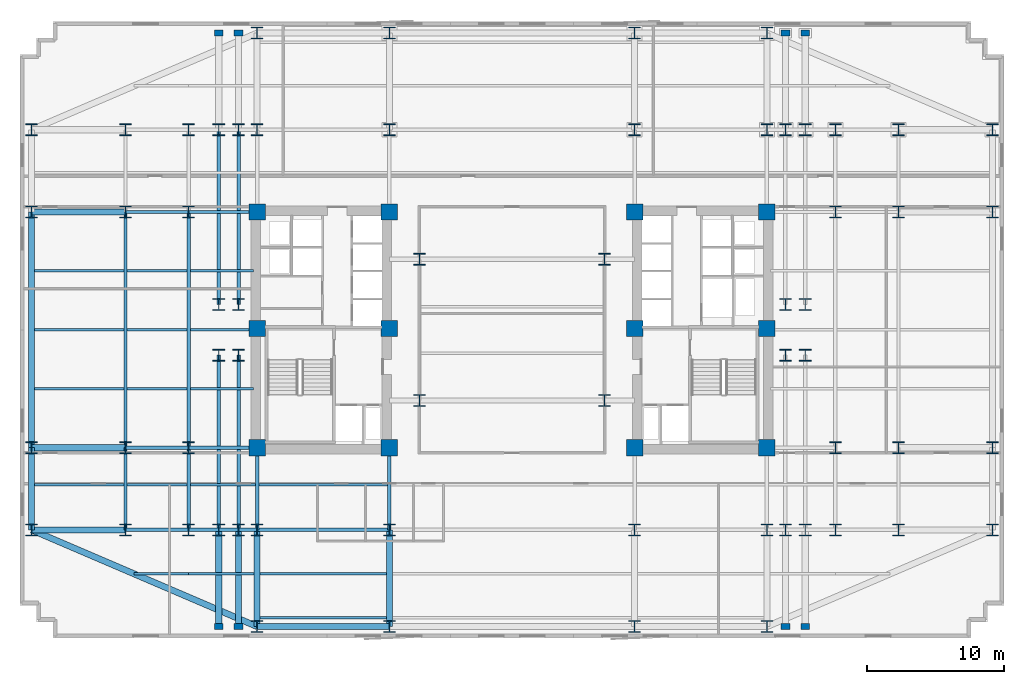
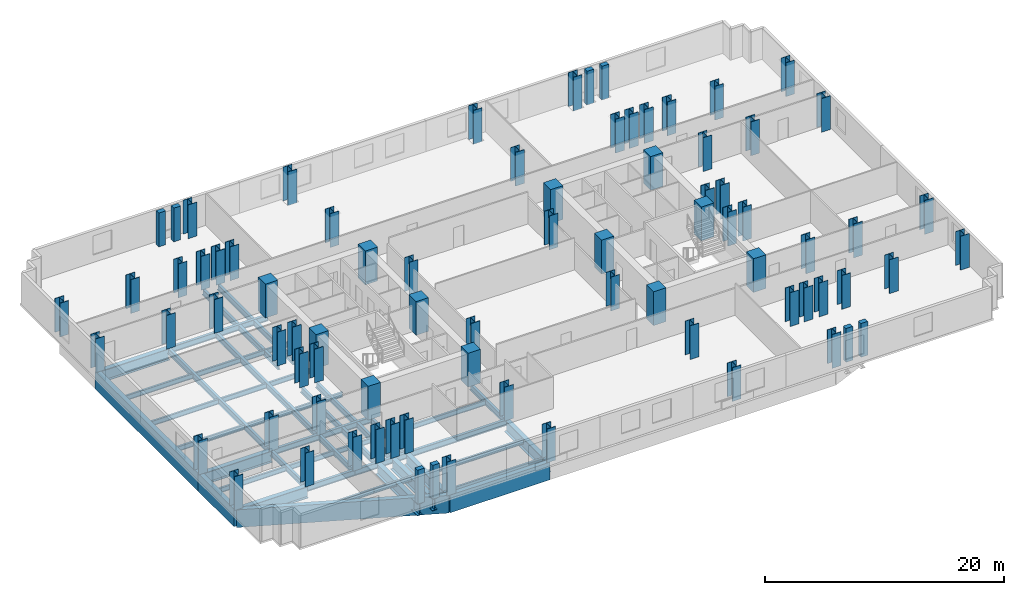
# One storey, part 1 of 10: 80 columns, 45 beams.
"""IFC4 building model written with IfcOpenShell, lengths in metres."""

import ifcopenshell
import ifcopenshell.guid

model = None  # the IFC model being written
_history = None  # IfcOwnerHistory: only IFC2X3 demands one
_inside = {}  # id of a spatial element -> (the spatial element, [elements in it])
_under = {}  # id of a project, library or spatial element -> (it, [spatial elements below it])
_declared = {}  # id of a project -> (the project, [libraries it declares])
_typed = {}  # id of a type object -> (the type object, [elements of that type])
_made_of = {}  # id of a material, layer set ... -> (it, [elements and type objects made of it])


def new_model(schema):
    """Start an empty IFC model of exactly this schema.

    Asked for "IFC4X3", IfcOpenShell would pick the latest addendum, in which some entities
    have other attributes; the version numbers below select the first issue.
    IFC2X3 requires an IfcOwnerHistory on every rooted entity: one is made here for all.
    """
    global model, _history
    if schema == "IFC4X3":
        model = ifcopenshell.file(schema_version=(4, 3, 0, 0))
    else:
        model = ifcopenshell.file(schema=schema)
    _inside.clear()
    _under.clear()
    _declared.clear()
    _typed.clear()
    _made_of.clear()
    _history = None
    if model.schema == "IFC2X3":
        org = make("IfcOrganization", Name="unknown")
        user = make(
            "IfcPersonAndOrganization",
            ThePerson=make("IfcPerson", FamilyName="unknown"),
            TheOrganization=org,
        )
        app = make(
            "IfcApplication",
            ApplicationDeveloper=org,
            Version="unknown",
            ApplicationFullName="unknown",
            ApplicationIdentifier="unknown",
        )
        _history = make(
            "IfcOwnerHistory",
            OwningUser=user,
            OwningApplication=app,
            ChangeAction="ADDED",
            CreationDate=0,
        )
    return model


def make(cls, **values):
    """One entity of the class cls with the attributes given. An attribute that is None is left unset."""
    return model.create_entity(
        cls, **{name: value for name, value in values.items() if value is not None}
    )


def rooted(cls, **values):
    """An entity with a GlobalId (a new one), such as an element, a storey or a relation."""
    return make(cls, GlobalId=ifcopenshell.guid.new(), OwnerHistory=_history, **values)


def si_unit(unit_type, name, prefix=None):
    """IfcSIUnit, for example si_unit("LENGTHUNIT", "METRE", prefix="MILLI")."""
    return make("IfcSIUnit", UnitType=unit_type, Prefix=prefix, Name=name)


def assignment(units):
    """IfcUnitAssignment: the units of a project."""
    return None if units is None else make("IfcUnitAssignment", Units=units)


def point(xyz):
    """IfcCartesianPoint."""
    return None if xyz is None else make("IfcCartesianPoint", Coordinates=xyz)


def direction(xyz):
    """IfcDirection."""
    return None if xyz is None else make("IfcDirection", DirectionRatios=xyz)


def frame(location, z_axis=None, x_axis=None):
    """IfcAxis2Placement3D, a coordinate frame: its origin and axes. An axis left out is left unset."""
    return make(
        "IfcAxis2Placement3D",
        Location=point(location),
        Axis=direction(z_axis),
        RefDirection=direction(x_axis),
    )


def frame_2d(location, x_axis=None):
    """IfcAxis2Placement2D, a coordinate frame in the plane: its origin and x axis."""
    return make(
        "IfcAxis2Placement2D", Location=point(location), RefDirection=direction(x_axis)
    )


def origin():
    """The frame at (0, 0, 0) with its axes left unset."""
    return frame((0.0, 0.0, 0.0))


def origin_2d():
    """The frame at (0, 0) in the plane with its x axis left unset."""
    return frame_2d((0.0, 0.0))


def place(relative_to, where):
    """IfcLocalPlacement: puts the frame where relative to a parent placement (None: the world)."""
    return make(
        "IfcLocalPlacement", PlacementRelTo=relative_to, RelativePlacement=where
    )


def context(
    kind, dimensions, precision=None, world=None, true_north=None, identifier=None
):
    """IfcGeometricRepresentationContext, for example the 3D "Model" context."""
    return make(
        "IfcGeometricRepresentationContext",
        ContextIdentifier=identifier,
        ContextType=kind,
        CoordinateSpaceDimension=dimensions,
        Precision=precision,
        WorldCoordinateSystem=world,
        TrueNorth=true_north,
    )


def subcontext(parent, identifier, kind, view, scale=None):
    """IfcGeometricRepresentationSubContext, for example "Body" below "Model"."""
    return make(
        "IfcGeometricRepresentationSubContext",
        ContextIdentifier=identifier,
        ContextType=kind,
        ParentContext=parent,
        TargetScale=scale,
        TargetView=view,
    )


def project(units=None, contexts=None):
    """IfcProject with its units and contexts."""
    return rooted(
        "IfcProject",
        Name="project",
        RepresentationContexts=contexts,
        UnitsInContext=assignment(units),
    )


def spatial(cls, under=None, at=None, **own):
    """A site, building, storey or space (cls), placed at a placement, below another one or the project."""
    s = rooted(cls, ObjectPlacement=at, **own)
    if under is not None:
        _under.setdefault(under.id(), (under, []))[1].append(s)
    return s


def profile(cls, at=None, kind="AREA", **sizes):
    """A parametric profile (cls). Its sizes go by their IFC names, for example OverallWidth=200.0."""
    return make(cls, ProfileType=kind, Position=at, **sizes)


def rectangle(**sizes):
    """IfcRectangleProfileDef."""
    return profile("IfcRectangleProfileDef", **sizes)


def i_section(**sizes):
    """IfcIShapeProfileDef."""
    return profile("IfcIShapeProfileDef", **sizes)


def extrude(swept, where, along, depth):
    """IfcExtrudedAreaSolid: the profile swept, set in the frame where, extruded along a direction by depth."""
    return make(
        "IfcExtrudedAreaSolid",
        SweptArea=swept,
        Position=where,
        ExtrudedDirection=direction(along),
        Depth=depth,
    )


def shape(context_of_items, identifier, shape_type, items):
    """IfcShapeRepresentation: the items that make up one representation, for example the "Body"."""
    return make(
        "IfcShapeRepresentation",
        ContextOfItems=context_of_items,
        RepresentationIdentifier=identifier,
        RepresentationType=shape_type,
        Items=items,
    )


def material(Name=None, Category=None):
    """IfcMaterial."""
    return make("IfcMaterial", Name=Name, Category=Category)


def material_profile(
    of_material, cross_section, Name=None, Category=None, Priority=None
):
    """IfcMaterialProfile: a cross section and its material."""
    return make(
        "IfcMaterialProfile",
        Name=Name,
        Material=of_material,
        Profile=cross_section,
        Priority=Priority,
        Category=Category,
    )


def profile_set(profiles, Name=None, composite=None):
    """IfcMaterialProfileSet."""
    return make(
        "IfcMaterialProfileSet",
        Name=Name,
        MaterialProfiles=profiles,
        CompositeProfile=composite,
    )


def made_of(thing, what):
    """Note that an element or type object is made of a material, layer set ...; save() writes the relation."""
    if what is not None:
        _made_of.setdefault(what.id(), (what, []))[1].append(thing)
    return thing


def type_object(cls, material=None, **own):
    """A type object (cls), such as IfcWallType, which elements share."""
    return made_of(rooted(cls, **own), material)


def element(
    cls,
    number,
    at=None,
    inside=None,
    cuts=None,
    type_object=None,
    material=None,
    context=None,
    identifier="Body",
    shape_type=None,
    held_by="IfcProductDefinitionShape",
    body=None,
    shapes=None,
    **own,
):
    """One element of the class cls, such as IfcWall. Its Tag is "e" and its number.

    at: its placement. inside: the storey or other place that contains it. cuts: it is an
    opening in that element (IfcRelVoidsElement). A single representation is given by context,
    identifier, shape_type and body (its items); several are given by shapes. held_by: the class
    of the entity that holds the representations. save() writes the other relations.
    """
    e = rooted(cls, Tag="e%d" % number, ObjectPlacement=at, **own)
    if body is not None:
        shapes = [shape(context, identifier, shape_type, body)]
    if shapes is not None:
        e.Representation = make(held_by, Representations=shapes)
    if inside is not None:
        _inside.setdefault(inside.id(), (inside, []))[1].append(e)
    if cuts is not None:
        rooted(
            "IfcRelVoidsElement", RelatingBuildingElement=cuts, RelatedOpeningElement=e
        )
    if type_object is not None:
        _typed.setdefault(type_object.id(), (type_object, []))[1].append(e)
    return made_of(e, material)


def aggregate(whole, parts):
    """IfcRelAggregates: a whole, such as a stair, and the parts it consists of."""
    return rooted("IfcRelAggregates", RelatingObject=whole, RelatedObjects=parts)


def save(model, path):
    """Write the relations noted so far, then the file.

    IfcRelAggregates (storeys below a building ...), IfcRelContainedInSpatialStructure (elements
    in a storey), IfcRelDefinesByType, IfcRelAssociatesMaterial and IfcRelDeclares: one each for
    every whole, place, type object, material and project.
    """
    for whole, parts in _under.values():
        aggregate(whole, parts)
    for where, things in _inside.values():
        rooted(
            "IfcRelContainedInSpatialStructure",
            RelatedElements=things,
            RelatingStructure=where,
        )
    for kind, things in _typed.values():
        rooted("IfcRelDefinesByType", RelatedObjects=things, RelatingType=kind)
    for what, things in _made_of.values():
        rooted("IfcRelAssociatesMaterial", RelatedObjects=things, RelatingMaterial=what)
    for by, libraries in _declared.values():
        rooted("IfcRelDeclares", RelatingContext=by, RelatedDefinitions=libraries)
    model.write(path)


model = new_model("IFC4")

# Units and contexts
model_context = context("Model", 3, precision=1e-05, world=origin(), true_north=direction((0.0, 1.0)))
body_context = subcontext(model_context, "Body", "Model", "MODEL_VIEW")
ifc_project = project(units=[si_unit("LENGTHUNIT", "METRE"), si_unit("AREAUNIT", "SQUARE_METRE"), si_unit("VOLUMEUNIT", "CUBIC_METRE"), si_unit("PLANEANGLEUNIT", "RADIAN"), si_unit("MASSUNIT", "GRAM", prefix="KILO")], contexts=[model_context])

# Site, building, storey
site_placement = place(None, origin())
site = spatial("IfcSite", under=ifc_project, at=site_placement, CompositionType="ELEMENT")
building_placement = place(site_placement, origin())
building = spatial("IfcBuilding", under=site, at=building_placement, Name="Velakula Bourse", CompositionType="ELEMENT")
storey_placement = place(building_placement, frame((0.0, 0.0, 31.199951171875)))
storey = spatial("IfcBuildingStorey", under=building, at=storey_placement, Name="L07", CompositionType="ELEMENT", Elevation=31.199951171875)

# Columns
ifc_material_1 = material(Name="Concrete M70 (fck 70 MPa)", Category="concrete")
ifc_material_profile_1 = material_profile(ifc_material_1, rectangle(XDim=1.199951171875, YDim=1.199951171875, at=origin_2d()), Name="Concrete M70 (fck 70 MPa)")
ifc_profile_set_1 = profile_set([ifc_material_profile_1], Name="Concrete M70 (fck 70 MPa)")
column_type_1 = type_object("IfcColumnType", Name="COL-RC-1200", PredefinedType="COLUMN", material=ifc_profile_set_1)
for number, where, z_axis, x_axis, name in (
    (1, (-8.949951171875, -8.60009765625, 0.0), (0.0, 0.0, 1.0), (1.0, 0.0, 0.0), "L07 Core Boundary Column 01"),
    (2, (-8.949951171875, 0.10009765625, 0.0), (0.0, 0.0, 1.0), (1.0, 0.0, 0.0), "L07 Core Boundary Column 02"),
    (3, (-8.949951171875, 8.60009765625, 0.0), (0.0, 0.0, 1.0), (1.0, 0.0, 0.0), "L07 Core Boundary Column 03"),
    (4, (-18.60009765625, -8.60009765625, 0.0), (0.0, 0.0, 1.0), (1.0, 0.0, 0.0), "L07 Core Boundary Column 04"),
    (5, (-18.60009765625, 0.10009765625, 0.0), (0.0, 0.0, 1.0), (1.0, 0.0, 0.0), "L07 Core Boundary Column 05"),
    (6, (-18.60009765625, 8.60009765625, 0.0), (0.0, 0.0, 1.0), (1.0, 0.0, 0.0), "L07 Core Boundary Column 06"),
    (7, (8.949951171875, -8.60009765625, 0.0), (0.0, 0.0, 1.0), (1.0, 0.0, 0.0), "L07 Core Boundary Column 07"),
    (8, (8.949951171875, 0.10009765625, 0.0), (0.0, 0.0, 1.0), (1.0, 0.0, 0.0), "L07 Core Boundary Column 08"),
    (9, (8.949951171875, 8.60009765625, 0.0), (0.0, 0.0, 1.0), (1.0, 0.0, 0.0), "L07 Core Boundary Column 09"),
    (10, (18.60009765625, -8.60009765625, 0.0), (0.0, 0.0, 1.0), (1.0, 0.0, 0.0), "L07 Core Boundary Column 10"),
    (11, (18.60009765625, 0.10009765625, 0.0), (0.0, 0.0, 1.0), (1.0, 0.0, 0.0), "L07 Core Boundary Column 11"),
    (12, (18.60009765625, 8.60009765625, 0.0), (0.0, 0.0, 1.0), (1.0, 0.0, 0.0), "L07 Core Boundary Column 12"),
):
    element("IfcColumn", number, at=place(storey_placement, frame(where, z_axis=z_axis, x_axis=x_axis)), inside=storey, type_object=column_type_1, Name=name, PredefinedType="COLUMN", context=body_context, shape_type="SweptSolid", body=[
        extrude(rectangle(XDim=1.199951171875, YDim=1.199951171875, at=origin_2d()), origin(), (0.0, 0.0, 1.0), 3.449951171875),
    ])
ifc_material_2 = material(Name="Steel IS 2062 Grade 450 (E450)", Category="steel")
ifc_material_profile_2 = material_profile(ifc_material_2, i_section(OverallWidth=0.85009765625, OverallDepth=0.85009765625, WebThickness=0.031982421875, FlangeThickness=0.048095703125, at=origin_2d()), Name="Steel IS 2062 Grade 450 (E450)")
ifc_profile_set_2 = profile_set([ifc_material_profile_2], Name="Steel IS 2062 Grade 450 (E450)")
column_type_2 = type_object("IfcColumnType", Name="COL-STL-850", PredefinedType="COLUMN", material=ifc_profile_set_2)
for number, where, z_axis, x_axis, name in (
    (13, (-6.75, -5.14990234375, 0.0), (0.0, 0.0, 1.0), (1.0, 0.0, 0.0), "L07 Central Spine Column 01"),
    (14, (-6.75, 5.14990234375, 0.0), (0.0, 0.0, 1.0), (1.0, 0.0, 0.0), "L07 Central Spine Column 02"),
    (15, (6.75, -5.14990234375, 0.0), (0.0, 0.0, 1.0), (1.0, 0.0, 0.0), "L07 Central Spine Column 03"),
    (16, (6.75, 5.14990234375, 0.0), (0.0, 0.0, 1.0), (1.0, 0.0, 0.0), "L07 Central Spine Column 04"),
    (17, (-21.39990234375, -14.60009765625, 0.0), (0.0, 0.0, 1.0), (1.0, 0.0, 0.0), "L07 Tower Fulcrum Column 01"),
    (18, (-21.39990234375, 14.60009765625, 0.0), (0.0, 0.0, 1.0), (1.0, 0.0, 0.0), "L07 Tower Fulcrum Column 02"),
    (19, (-19.949951171875, -14.60009765625, 0.0), (0.0, 0.0, 1.0), (1.0, 0.0, 0.0), "L07 Tower Fulcrum Column 03"),
    (20, (-19.949951171875, 14.60009765625, 0.0), (0.0, 0.0, 1.0), (1.0, 0.0, 0.0), "L07 Tower Fulcrum Column 04"),
    (21, (-18.60009765625, -14.60009765625, 0.0), (0.0, 0.0, 1.0), (1.0, 0.0, 0.0), "L07 Tower Fulcrum Column 05"),
    (22, (-18.60009765625, 14.60009765625, 0.0), (0.0, 0.0, 1.0), (1.0, 0.0, 0.0), "L07 Tower Fulcrum Column 06"),
    (23, (-8.949951171875, -14.60009765625, 0.0), (0.0, 0.0, 1.0), (1.0, 0.0, 0.0), "L07 Tower Fulcrum Column 07"),
    (24, (-8.949951171875, 14.60009765625, 0.0), (0.0, 0.0, 1.0), (1.0, 0.0, 0.0), "L07 Tower Fulcrum Column 08"),
    (25, (8.949951171875, -14.60009765625, 0.0), (0.0, 0.0, 1.0), (1.0, 0.0, 0.0), "L07 Tower Fulcrum Column 09"),
    (26, (8.949951171875, 14.60009765625, 0.0), (0.0, 0.0, 1.0), (1.0, 0.0, 0.0), "L07 Tower Fulcrum Column 10"),
    (27, (18.60009765625, -14.60009765625, 0.0), (0.0, 0.0, 1.0), (1.0, 0.0, 0.0), "L07 Tower Fulcrum Column 11"),
    (28, (18.60009765625, 14.60009765625, 0.0), (0.0, 0.0, 1.0), (1.0, 0.0, 0.0), "L07 Tower Fulcrum Column 12"),
    (29, (19.949951171875, -14.60009765625, 0.0), (0.0, 0.0, 1.0), (1.0, 0.0, 0.0), "L07 Tower Fulcrum Column 13"),
    (30, (19.949951171875, 14.60009765625, 0.0), (0.0, 0.0, 1.0), (1.0, 0.0, 0.0), "L07 Tower Fulcrum Column 14"),
    (31, (21.39990234375, -14.60009765625, 0.0), (0.0, 0.0, 1.0), (1.0, 0.0, 0.0), "L07 Tower Fulcrum Column 15"),
    (32, (21.39990234375, 14.60009765625, 0.0), (0.0, 0.0, 1.0), (1.0, 0.0, 0.0), "L07 Tower Fulcrum Column 16"),
    (33, (-21.39990234375, -1.85009765625, 0.0), (0.0, 0.0, 1.0), (1.0, 0.0, 0.0), "L07 Tower Fulcrum Column 17"),
    (34, (-21.39990234375, 1.85009765625, 0.0), (0.0, 0.0, 1.0), (1.0, 0.0, 0.0), "L07 Tower Fulcrum Column 18"),
    (35, (-19.949951171875, -1.85009765625, 0.0), (0.0, 0.0, 1.0), (1.0, 0.0, 0.0), "L07 Tower Fulcrum Column 19"),
    (36, (-19.949951171875, 1.85009765625, 0.0), (0.0, 0.0, 1.0), (1.0, 0.0, 0.0), "L07 Tower Fulcrum Column 20"),
    (37, (19.949951171875, -1.85009765625, 0.0), (0.0, 0.0, 1.0), (1.0, 0.0, 0.0), "L07 Tower Fulcrum Column 21"),
    (38, (19.949951171875, 1.85009765625, 0.0), (0.0, 0.0, 1.0), (1.0, 0.0, 0.0), "L07 Tower Fulcrum Column 22"),
    (39, (21.39990234375, -1.85009765625, 0.0), (0.0, 0.0, 1.0), (1.0, 0.0, 0.0), "L07 Tower Fulcrum Column 23"),
    (40, (21.39990234375, 1.85009765625, 0.0), (0.0, 0.0, 1.0), (1.0, 0.0, 0.0), "L07 Tower Fulcrum Column 24"),
    (41, (-23.60009765625, -14.60009765625, 0.0), (0.0, 0.0, 1.0), (1.0, 0.0, 0.0), "L07 Mid-Wing Plumb Column 01"),
    (42, (-23.60009765625, -8.60009765625, 0.0), (0.0, 0.0, 1.0), (1.0, 0.0, 0.0), "L07 Mid-Wing Plumb Column 02"),
    (43, (-23.60009765625, 8.60009765625, 0.0), (0.0, 0.0, 1.0), (1.0, 0.0, 0.0), "L07 Mid-Wing Plumb Column 03"),
    (44, (-23.60009765625, 14.60009765625, 0.0), (0.0, 0.0, 1.0), (1.0, 0.0, 0.0), "L07 Mid-Wing Plumb Column 04"),
    (45, (23.60009765625, -14.60009765625, 0.0), (0.0, 0.0, 1.0), (1.0, 0.0, 0.0), "L07 Mid-Wing Plumb Column 05"),
    (46, (23.60009765625, -8.60009765625, 0.0), (0.0, 0.0, 1.0), (1.0, 0.0, 0.0), "L07 Mid-Wing Plumb Column 06"),
    (47, (23.60009765625, 8.60009765625, 0.0), (0.0, 0.0, 1.0), (1.0, 0.0, 0.0), "L07 Mid-Wing Plumb Column 07"),
    (48, (23.60009765625, 14.60009765625, 0.0), (0.0, 0.0, 1.0), (1.0, 0.0, 0.0), "L07 Mid-Wing Plumb Column 08"),
    (49, (-28.199951171875, -14.60009765625, 0.0), (0.0, 0.0, 1.0), (1.0, 0.0, 0.0), "L07 Lower Wing Column 01"),
    (50, (-28.199951171875, -8.60009765625, 0.0), (0.0, 0.0, 1.0), (1.0, 0.0, 0.0), "L07 Lower Wing Column 02"),
    (51, (-28.199951171875, 8.60009765625, 0.0), (0.0, 0.0, 1.0), (1.0, 0.0, 0.0), "L07 Lower Wing Column 03"),
    (52, (-28.199951171875, 14.60009765625, 0.0), (0.0, 0.0, 1.0), (1.0, 0.0, 0.0), "L07 Lower Wing Column 04"),
    (53, (28.199951171875, -14.60009765625, 0.0), (0.0, 0.0, 1.0), (1.0, 0.0, 0.0), "L07 Lower Wing Column 05"),
    (54, (28.199951171875, -8.60009765625, 0.0), (0.0, 0.0, 1.0), (1.0, 0.0, 0.0), "L07 Lower Wing Column 06"),
    (55, (28.199951171875, 8.60009765625, 0.0), (0.0, 0.0, 1.0), (1.0, 0.0, 0.0), "L07 Lower Wing Column 07"),
    (56, (28.199951171875, 14.60009765625, 0.0), (0.0, 0.0, 1.0), (1.0, 0.0, 0.0), "L07 Lower Wing Column 08"),
    (57, (-18.60009765625, -21.64990234375, 0.0), (0.0, 0.0, 1.0), (1.0, 0.0, 0.0), "L07 Block B1 Perimeter Column S1"),
    (58, (-8.949951171875, -21.64990234375, 0.0), (0.0, 0.0, 1.0), (1.0, 0.0, 0.0), "L07 Block B1 Perimeter Column S2"),
    (59, (8.949951171875, -21.64990234375, 0.0), (0.0, 0.0, 1.0), (1.0, 0.0, 0.0), "L07 Block B1 Perimeter Column S3"),
    (60, (18.60009765625, -21.64990234375, 0.0), (0.0, 0.0, 1.0), (1.0, 0.0, 0.0), "L07 Block B1 Perimeter Column S4"),
    (61, (-18.60009765625, 21.64990234375, 0.0), (0.0, 0.0, 1.0), (1.0, 0.0, 0.0), "L07 Block B1 Perimeter Column N1"),
    (62, (-8.949951171875, 21.64990234375, 0.0), (0.0, 0.0, 1.0), (1.0, 0.0, 0.0), "L07 Block B1 Perimeter Column N2"),
    (63, (8.949951171875, 21.64990234375, 0.0), (0.0, 0.0, 1.0), (1.0, 0.0, 0.0), "L07 Block B1 Perimeter Column N3"),
    (64, (18.60009765625, 21.64990234375, 0.0), (0.0, 0.0, 1.0), (1.0, 0.0, 0.0), "L07 Block B1 Perimeter Column N4"),
    (65, (-35.050048828125, -14.60009765625, 0.0), (0.0, 0.0, 1.0), (1.0, 0.0, 0.0), "L07 Block B1 Perimeter Column W1"),
    (66, (-35.050048828125, -8.60009765625, 0.0), (0.0, 0.0, 1.0), (1.0, 0.0, 0.0), "L07 Block B1 Perimeter Column W2"),
    (67, (-35.050048828125, 8.60009765625, 0.0), (0.0, 0.0, 1.0), (1.0, 0.0, 0.0), "L07 Block B1 Perimeter Column W3"),
    (68, (-35.050048828125, 14.60009765625, 0.0), (0.0, 0.0, 1.0), (1.0, 0.0, 0.0), "L07 Block B1 Perimeter Column W4"),
    (69, (35.050048828125, -14.60009765625, 0.0), (0.0, 0.0, 1.0), (1.0, 0.0, 0.0), "L07 Block B1 Perimeter Column E1"),
    (70, (35.050048828125, -8.60009765625, 0.0), (0.0, 0.0, 1.0), (1.0, 0.0, 0.0), "L07 Block B1 Perimeter Column E2"),
    (71, (35.050048828125, 8.60009765625, 0.0), (0.0, 0.0, 1.0), (1.0, 0.0, 0.0), "L07 Block B1 Perimeter Column E3"),
    (72, (35.050048828125, 14.60009765625, 0.0), (0.0, 0.0, 1.0), (1.0, 0.0, 0.0), "L07 Block B1 Perimeter Column E4"),
):
    element("IfcColumn", number, at=place(storey_placement, frame(where, z_axis=z_axis, x_axis=x_axis)), inside=storey, type_object=column_type_2, Name=name, PredefinedType="COLUMN", context=body_context, shape_type="SweptSolid", body=[
        extrude(i_section(OverallWidth=0.85009765625, OverallDepth=0.85009765625, WebThickness=0.031982421875, FlangeThickness=0.048095703125, at=origin_2d()), origin(), (0.0, 0.0, 1.0), 3.449951171875),
    ])
ifc_material_3 = material(Name="Precast concrete M45 (fck 45 MPa)", Category="concrete")
ifc_material_profile_3 = material_profile(ifc_material_3, rectangle(XDim=0.64990234375, YDim=0.449951171875, at=origin_2d()), Name="Precast concrete M45 (fck 45 MPa)")
ifc_profile_set_3 = profile_set([ifc_material_profile_3], Name="Precast concrete M45 (fck 45 MPa)")
column_type_3 = type_object("IfcColumnType", Name="PIL-BRICK-650", PredefinedType="PILASTER", material=ifc_profile_set_3)
for number, where, z_axis, x_axis, name in (
    (73, (-21.39990234375, -21.64990234375, 0.0), (0.0, 0.0, 1.0), (1.0, 0.0, 0.0), "L07 Brick Pier Pilaster 01"),
    (74, (-19.949951171875, -21.64990234375, 0.0), (0.0, 0.0, 1.0), (1.0, 0.0, 0.0), "L07 Brick Pier Pilaster 02"),
    (75, (19.949951171875, -21.64990234375, 0.0), (0.0, 0.0, 1.0), (1.0, 0.0, 0.0), "L07 Brick Pier Pilaster 03"),
    (76, (21.39990234375, -21.64990234375, 0.0), (0.0, 0.0, 1.0), (1.0, 0.0, 0.0), "L07 Brick Pier Pilaster 04"),
    (77, (-21.39990234375, 21.64990234375, 0.0), (0.0, 0.0, 1.0), (1.0, 0.0, 0.0), "L07 Brick Pier Pilaster 05"),
    (78, (-19.949951171875, 21.64990234375, 0.0), (0.0, 0.0, 1.0), (1.0, 0.0, 0.0), "L07 Brick Pier Pilaster 06"),
    (79, (19.949951171875, 21.64990234375, 0.0), (0.0, 0.0, 1.0), (1.0, 0.0, 0.0), "L07 Brick Pier Pilaster 07"),
    (80, (21.39990234375, 21.64990234375, 0.0), (0.0, 0.0, 1.0), (1.0, 0.0, 0.0), "L07 Brick Pier Pilaster 08"),
):
    element("IfcColumn", number, at=place(storey_placement, frame(where, z_axis=z_axis, x_axis=x_axis)), inside=storey, type_object=column_type_3, Name=name, PredefinedType="PILASTER", context=body_context, shape_type="SweptSolid", body=[
        extrude(rectangle(XDim=0.64990234375, YDim=0.449951171875, at=origin_2d()), origin(), (0.0, 0.0, 1.0), 3.449951171875),
    ])

# Beams
ifc_material_4 = material(Name="Steel IS 2062 Grade 350 (E350)", Category="steel")
ifc_material_profile_4 = material_profile(ifc_material_4, i_section(OverallWidth=0.25, OverallDepth=0.60009765625, WebThickness=0.01171875, FlangeThickness=0.023681640625, at=origin_2d()), Name="Steel IS 2062 Grade 350 (E350)")
ifc_profile_set_4 = profile_set([ifc_material_profile_4], Name="Steel IS 2062 Grade 350 (E350)")
beam_type_1 = type_object("IfcBeamType", Name="BM-GRD-600H", PredefinedType="BEAM", material=ifc_profile_set_4)
for number, where, z_axis, x_axis, name in (
    (81, (-18.60009765625, -14.60009765625, -0.47998046875), (0.0, 1.0, 0.0), (-1.0, 0.0, 0.0), "L07 Fulcrum Grid Girder FLC-WS"),
    (82, (-8.949951171875, -14.60009765625, -0.47998046875), (0.0, 1.0, 0.0), (-1.0, 0.0, 0.0), "L07 Fulcrum Grid Girder FLC-WCS"),
):
    element("IfcBeam", number, at=place(storey_placement, frame(where, z_axis=z_axis, x_axis=x_axis)), inside=storey, type_object=beam_type_1, Name=name, PredefinedType="BEAM", context=body_context, shape_type="SweptSolid", body=[
        extrude(i_section(OverallWidth=0.25, OverallDepth=0.60009765625, WebThickness=0.01171875, FlangeThickness=0.023681640625, at=origin_2d()), origin(), (0.0, 0.0, 1.0), 6.0),
    ])
beam_1_placement = place(storey_placement, frame((-18.60009765625, -14.60009765625, -0.47998046875), z_axis=(1.0, 0.0, 0.0), x_axis=(0.0, 1.0, 0.0)))
element("IfcBeam", 83, at=beam_1_placement, inside=storey, type_object=beam_type_1, Name="L07 Fulcrum Grid Girder FLC-S1", PredefinedType="BEAM", context=body_context, shape_type="SweptSolid", body=[
    extrude(i_section(OverallWidth=0.25, OverallDepth=0.60009765625, WebThickness=0.01171875, FlangeThickness=0.023681640625, at=origin_2d()), origin(), (0.0, 0.0, 1.0), 9.650146484375),
])
for number, where, z_axis, x_axis, name in (
    (84, (-21.39990234375, -14.60009765625, -0.47998046875), (0.0, 1.0, 0.0), (-1.0, 0.0, 0.0), "L07 Fulcrum Grid Girder FLC-PSW1"),
    (85, (-21.39990234375, 1.85009765625, -0.47998046875), (0.0, 1.0, 0.0), (-1.0, 0.0, 0.0), "L07 Fulcrum Grid Girder FLC-PNW1"),
    (86, (-19.949951171875, -14.60009765625, -0.47998046875), (0.0, 1.0, 0.0), (-1.0, 0.0, 0.0), "L07 Fulcrum Grid Girder FLC-PSW2"),
    (87, (-19.949951171875, 1.85009765625, -0.47998046875), (0.0, 1.0, 0.0), (-1.0, 0.0, 0.0), "L07 Fulcrum Grid Girder FLC-PNW2"),
):
    element("IfcBeam", number, at=place(storey_placement, frame(where, z_axis=z_axis, x_axis=x_axis)), inside=storey, type_object=beam_type_1, Name=name, PredefinedType="BEAM", context=body_context, shape_type="SweptSolid", body=[
        extrude(i_section(OverallWidth=0.25, OverallDepth=0.60009765625, WebThickness=0.01171875, FlangeThickness=0.023681640625, at=origin_2d()), origin(), (0.0, 0.0, 1.0), 12.75),
    ])
for number, where, z_axis, x_axis, name in (
    (88, (-23.60009765625, -14.60009765625, -0.47998046875), (1.0, 0.0, 0.0), (0.0, 1.0, 0.0), "L07 Fulcrum Grid Girder MWG-WS1"),
    (89, (-23.60009765625, -8.60009765625, -0.47998046875), (1.0, 0.0, 0.0), (0.0, 1.0, 0.0), "L07 Fulcrum Grid Girder MWG-WS2"),
    (90, (-23.60009765625, 8.60009765625, -0.47998046875), (1.0, 0.0, 0.0), (0.0, 1.0, 0.0), "L07 Fulcrum Grid Girder MWG-WN1"),
):
    element("IfcBeam", number, at=place(storey_placement, frame(where, z_axis=z_axis, x_axis=x_axis)), inside=storey, type_object=beam_type_1, Name=name, PredefinedType="BEAM", context=body_context, shape_type="SweptSolid", body=[
        extrude(i_section(OverallWidth=0.25, OverallDepth=0.60009765625, WebThickness=0.01171875, FlangeThickness=0.023681640625, at=origin_2d()), origin(), (0.0, 0.0, 1.0), 5.0),
    ])
beam_2_placement = place(storey_placement, frame((-23.60009765625, -14.60009765625, -0.47998046875), z_axis=(0.0, 1.0, 0.0), x_axis=(-1.0, 0.0, 0.0)))
element("IfcBeam", 91, at=beam_2_placement, inside=storey, type_object=beam_type_1, Name="L07 Fulcrum Grid Girder MWG-WNS1", PredefinedType="BEAM", context=body_context, shape_type="SweptSolid", body=[
    extrude(i_section(OverallWidth=0.25, OverallDepth=0.60009765625, WebThickness=0.01171875, FlangeThickness=0.023681640625, at=origin_2d()), origin(), (0.0, 0.0, 1.0), 6.0),
])
beam_3_placement = place(storey_placement, frame((-23.60009765625, -8.60009765625, -0.47998046875), z_axis=(0.0, 1.0, 0.0), x_axis=(-1.0, 0.0, 0.0)))
element("IfcBeam", 92, at=beam_3_placement, inside=storey, type_object=beam_type_1, Name="L07 Fulcrum Grid Girder MWG-WNS2", PredefinedType="BEAM", context=body_context, shape_type="SweptSolid", body=[
    extrude(i_section(OverallWidth=0.25, OverallDepth=0.60009765625, WebThickness=0.01171875, FlangeThickness=0.023681640625, at=origin_2d()), origin(), (0.0, 0.0, 1.0), 17.2001953125),
])
for number, where, z_axis, x_axis, name in (
    (93, (-28.199951171875, -14.60009765625, -0.47998046875), (1.0, 0.0, 0.0), (0.0, 1.0, 0.0), "L07 Fulcrum Grid Girder WNG-WS1"),
    (94, (-28.199951171875, -8.60009765625, -0.47998046875), (1.0, 0.0, 0.0), (0.0, 1.0, 0.0), "L07 Fulcrum Grid Girder WNG-WS2"),
    (95, (-28.199951171875, 8.60009765625, -0.47998046875), (1.0, 0.0, 0.0), (0.0, 1.0, 0.0), "L07 Fulcrum Grid Girder WNG-WN1"),
):
    element("IfcBeam", number, at=place(storey_placement, frame(where, z_axis=z_axis, x_axis=x_axis)), inside=storey, type_object=beam_type_1, Name=name, PredefinedType="BEAM", context=body_context, shape_type="SweptSolid", body=[
        extrude(i_section(OverallWidth=0.25, OverallDepth=0.60009765625, WebThickness=0.01171875, FlangeThickness=0.023681640625, at=origin_2d()), origin(), (0.0, 0.0, 1.0), 4.599853515625),
    ])
beam_4_placement = place(storey_placement, frame((-28.199951171875, -14.60009765625, -0.47998046875), z_axis=(0.0, 1.0, 0.0), x_axis=(-1.0, 0.0, 0.0)))
element("IfcBeam", 96, at=beam_4_placement, inside=storey, type_object=beam_type_1, Name="L07 Fulcrum Grid Girder WNG-WNS1", PredefinedType="BEAM", context=body_context, shape_type="SweptSolid", body=[
    extrude(i_section(OverallWidth=0.25, OverallDepth=0.60009765625, WebThickness=0.01171875, FlangeThickness=0.023681640625, at=origin_2d()), origin(), (0.0, 0.0, 1.0), 6.0),
])
beam_5_placement = place(storey_placement, frame((-28.199951171875, -8.60009765625, -0.47998046875), z_axis=(0.0, 1.0, 0.0), x_axis=(-1.0, 0.0, 0.0)))
element("IfcBeam", 97, at=beam_5_placement, inside=storey, type_object=beam_type_1, Name="L07 Fulcrum Grid Girder WNG-WNS2", PredefinedType="BEAM", context=body_context, shape_type="SweptSolid", body=[
    extrude(i_section(OverallWidth=0.25, OverallDepth=0.60009765625, WebThickness=0.01171875, FlangeThickness=0.023681640625, at=origin_2d()), origin(), (0.0, 0.0, 1.0), 17.2001953125),
])
ifc_material_profile_5 = material_profile(ifc_material_4, i_section(OverallWidth=0.179931640625, OverallDepth=0.5, WebThickness=0.01025390625, FlangeThickness=0.01708984375, at=origin_2d()), Name="Steel IS 2062 Grade 350 (E350)")
ifc_profile_set_5 = profile_set([ifc_material_profile_5], Name="Steel IS 2062 Grade 350 (E350)")
beam_type_2 = type_object("IfcBeamType", Name="JST-TWR-500", PredefinedType="JOIST", material=ifc_profile_set_5)
beam_6_placement = place(storey_placement, frame((-18.375, -21.0, -0.429931640625), z_axis=(1.0, 0.0, 0.0), x_axis=(0.0, 1.0, 0.0)))
element("IfcBeam", 98, at=beam_6_placement, inside=storey, type_object=beam_type_2, Name="L07 Trading Floor Composite Joist 01", PredefinedType="JOIST", context=body_context, shape_type="SweptSolid", body=[
    extrude(i_section(OverallWidth=0.179931640625, OverallDepth=0.5, WebThickness=0.01025390625, FlangeThickness=0.01708984375, at=origin_2d()), origin(), (0.0, 0.0, 1.0), 9.199951171875),
])
beam_7_placement = place(storey_placement, frame((-27.583251953125, -17.800048828125, -0.429931640625), z_axis=(1.0, 0.0, 0.0), x_axis=(0.0, 1.0, 0.0)))
element("IfcBeam", 99, at=beam_7_placement, inside=storey, type_object=beam_type_2, Name="L07 Trading Floor Composite Joist 04", PredefinedType="JOIST", context=body_context, shape_type="SweptSolid", body=[
    extrude(i_section(OverallWidth=0.179931640625, OverallDepth=0.5, WebThickness=0.01025390625, FlangeThickness=0.01708984375, at=origin_2d()), origin(), (0.0, 0.0, 1.0), 3.983154296875),
])
beam_8_placement = place(storey_placement, frame((-23.60009765625, -17.800048828125, -0.429931640625), z_axis=(1.0, 0.0, 0.0), x_axis=(0.0, 1.0, 0.0)))
element("IfcBeam", 100, at=beam_8_placement, inside=storey, type_object=beam_type_2, Name="L07 Trading Floor Composite Joist 05", PredefinedType="JOIST", context=body_context, shape_type="SweptSolid", body=[
    extrude(i_section(OverallWidth=0.179931640625, OverallDepth=0.5, WebThickness=0.01025390625, FlangeThickness=0.01708984375, at=origin_2d()), origin(), (0.0, 0.0, 1.0), 4.775146484375),
])
beam_9_placement = place(storey_placement, frame((-18.375, -17.800048828125, -0.429931640625), z_axis=(1.0, 0.0, 0.0), x_axis=(0.0, 1.0, 0.0)))
element("IfcBeam", 101, at=beam_9_placement, inside=storey, type_object=beam_type_2, Name="L07 Trading Floor Composite Joist 06", PredefinedType="JOIST", context=body_context, shape_type="SweptSolid", body=[
    extrude(i_section(OverallWidth=0.179931640625, OverallDepth=0.5, WebThickness=0.01025390625, FlangeThickness=0.01708984375, at=origin_2d()), origin(), (0.0, 0.0, 1.0), 9.199951171875),
])
beam_10_placement = place(storey_placement, frame((-34.824951171875, -11.300048828125, -0.429931640625), z_axis=(1.0, 0.0, 0.0), x_axis=(0.0, 1.0, 0.0)))
element("IfcBeam", 102, at=beam_10_placement, inside=storey, type_object=beam_type_2, Name="L07 Trading Floor Composite Joist 11", PredefinedType="JOIST", context=body_context, shape_type="SweptSolid", body=[
    extrude(i_section(OverallWidth=0.179931640625, OverallDepth=0.5, WebThickness=0.01025390625, FlangeThickness=0.01708984375, at=origin_2d()), origin(), (0.0, 0.0, 1.0), 6.5),
])
beam_11_placement = place(storey_placement, frame((-28.074951171875, -11.300048828125, -0.429931640625), z_axis=(1.0, 0.0, 0.0), x_axis=(0.0, 1.0, 0.0)))
element("IfcBeam", 103, at=beam_11_placement, inside=storey, type_object=beam_type_2, Name="L07 Trading Floor Composite Joist 12", PredefinedType="JOIST", context=body_context, shape_type="SweptSolid", body=[
    extrude(i_section(OverallWidth=0.179931640625, OverallDepth=0.5, WebThickness=0.01025390625, FlangeThickness=0.01708984375, at=origin_2d()), origin(), (0.0, 0.0, 1.0), 4.349853515625),
])
beam_12_placement = place(storey_placement, frame((-23.47509765625, -11.300048828125, -0.429931640625), z_axis=(1.0, 0.0, 0.0), x_axis=(0.0, 1.0, 0.0)))
element("IfcBeam", 104, at=beam_12_placement, inside=storey, type_object=beam_type_2, Name="L07 Trading Floor Composite Joist 13", PredefinedType="JOIST", context=body_context, shape_type="SweptSolid", body=[
    extrude(i_section(OverallWidth=0.179931640625, OverallDepth=0.5, WebThickness=0.01025390625, FlangeThickness=0.01708984375, at=origin_2d()), origin(), (0.0, 0.0, 1.0), 4.75),
])
beam_13_placement = place(storey_placement, frame((-18.47509765625, -11.300048828125, -0.429931640625), z_axis=(1.0, 0.0, 0.0), x_axis=(0.0, 1.0, 0.0)))
element("IfcBeam", 105, at=beam_13_placement, inside=storey, type_object=beam_type_2, Name="L07 Trading Floor Composite Joist 14", PredefinedType="JOIST", context=body_context, shape_type="SweptSolid", body=[
    extrude(i_section(OverallWidth=0.179931640625, OverallDepth=0.5, WebThickness=0.01025390625, FlangeThickness=0.01708984375, at=origin_2d()), origin(), (0.0, 0.0, 1.0), 9.400146484375),
])
beam_14_placement = place(storey_placement, frame((-34.824951171875, -4.300048828125, -0.429931640625), z_axis=(1.0, 0.0, 0.0), x_axis=(0.0, 1.0, 0.0)))
element("IfcBeam", 106, at=beam_14_placement, inside=storey, type_object=beam_type_2, Name="L07 Trading Floor Composite Joist 41", PredefinedType="JOIST", context=body_context, shape_type="SweptSolid", body=[
    extrude(i_section(OverallWidth=0.179931640625, OverallDepth=0.5, WebThickness=0.01025390625, FlangeThickness=0.01708984375, at=origin_2d()), origin(), (0.0, 0.0, 1.0), 6.5),
])
beam_15_placement = place(storey_placement, frame((-28.074951171875, -4.300048828125, -0.429931640625), z_axis=(1.0, 0.0, 0.0), x_axis=(0.0, 1.0, 0.0)))
element("IfcBeam", 107, at=beam_15_placement, inside=storey, type_object=beam_type_2, Name="L07 Trading Floor Composite Joist 42", PredefinedType="JOIST", context=body_context, shape_type="SweptSolid", body=[
    extrude(i_section(OverallWidth=0.179931640625, OverallDepth=0.5, WebThickness=0.01025390625, FlangeThickness=0.01708984375, at=origin_2d()), origin(), (0.0, 0.0, 1.0), 4.349853515625),
])
beam_16_placement = place(storey_placement, frame((-23.47509765625, -4.300048828125, -0.429931640625), z_axis=(1.0, 0.0, 0.0), x_axis=(0.0, 1.0, 0.0)))
element("IfcBeam", 108, at=beam_16_placement, inside=storey, type_object=beam_type_2, Name="L07 Trading Floor Composite Joist 43", PredefinedType="JOIST", context=body_context, shape_type="SweptSolid", body=[
    extrude(i_section(OverallWidth=0.179931640625, OverallDepth=0.5, WebThickness=0.01025390625, FlangeThickness=0.01708984375, at=origin_2d()), origin(), (0.0, 0.0, 1.0), 4.625),
])
beam_17_placement = place(storey_placement, frame((-34.824951171875, 0.0, -0.429931640625), z_axis=(1.0, 0.0, 0.0), x_axis=(0.0, 1.0, 0.0)))
element("IfcBeam", 109, at=beam_17_placement, inside=storey, type_object=beam_type_2, Name="L07 Trading Floor Composite Joist 47", PredefinedType="JOIST", context=body_context, shape_type="SweptSolid", body=[
    extrude(i_section(OverallWidth=0.179931640625, OverallDepth=0.5, WebThickness=0.01025390625, FlangeThickness=0.01708984375, at=origin_2d()), origin(), (0.0, 0.0, 1.0), 6.5),
])
beam_18_placement = place(storey_placement, frame((-28.074951171875, 0.0, -0.429931640625), z_axis=(1.0, 0.0, 0.0), x_axis=(0.0, 1.0, 0.0)))
element("IfcBeam", 110, at=beam_18_placement, inside=storey, type_object=beam_type_2, Name="L07 Trading Floor Composite Joist 48", PredefinedType="JOIST", context=body_context, shape_type="SweptSolid", body=[
    extrude(i_section(OverallWidth=0.179931640625, OverallDepth=0.5, WebThickness=0.01025390625, FlangeThickness=0.01708984375, at=origin_2d()), origin(), (0.0, 0.0, 1.0), 4.349853515625),
])
beam_19_placement = place(storey_placement, frame((-23.47509765625, 0.0, -0.429931640625), z_axis=(1.0, 0.0, 0.0), x_axis=(0.0, 1.0, 0.0)))
element("IfcBeam", 111, at=beam_19_placement, inside=storey, type_object=beam_type_2, Name="L07 Trading Floor Composite Joist 49", PredefinedType="JOIST", context=body_context, shape_type="SweptSolid", body=[
    extrude(i_section(OverallWidth=0.179931640625, OverallDepth=0.5, WebThickness=0.01025390625, FlangeThickness=0.01708984375, at=origin_2d()), origin(), (0.0, 0.0, 1.0), 4.625),
])
beam_20_placement = place(storey_placement, frame((-34.824951171875, 4.300048828125, -0.429931640625), z_axis=(1.0, 0.0, 0.0), x_axis=(0.0, 1.0, 0.0)))
element("IfcBeam", 112, at=beam_20_placement, inside=storey, type_object=beam_type_2, Name="L07 Trading Floor Composite Joist 53", PredefinedType="JOIST", context=body_context, shape_type="SweptSolid", body=[
    extrude(i_section(OverallWidth=0.179931640625, OverallDepth=0.5, WebThickness=0.01025390625, FlangeThickness=0.01708984375, at=origin_2d()), origin(), (0.0, 0.0, 1.0), 6.5),
])
beam_21_placement = place(storey_placement, frame((-28.074951171875, 4.300048828125, -0.429931640625), z_axis=(1.0, 0.0, 0.0), x_axis=(0.0, 1.0, 0.0)))
element("IfcBeam", 113, at=beam_21_placement, inside=storey, type_object=beam_type_2, Name="L07 Trading Floor Composite Joist 54", PredefinedType="JOIST", context=body_context, shape_type="SweptSolid", body=[
    extrude(i_section(OverallWidth=0.179931640625, OverallDepth=0.5, WebThickness=0.01025390625, FlangeThickness=0.01708984375, at=origin_2d()), origin(), (0.0, 0.0, 1.0), 4.349853515625),
])
beam_22_placement = place(storey_placement, frame((-23.47509765625, 4.300048828125, -0.429931640625), z_axis=(1.0, 0.0, 0.0), x_axis=(0.0, 1.0, 0.0)))
element("IfcBeam", 114, at=beam_22_placement, inside=storey, type_object=beam_type_2, Name="L07 Trading Floor Composite Joist 55", PredefinedType="JOIST", context=body_context, shape_type="SweptSolid", body=[
    extrude(i_section(OverallWidth=0.179931640625, OverallDepth=0.5, WebThickness=0.01025390625, FlangeThickness=0.01708984375, at=origin_2d()), origin(), (0.0, 0.0, 1.0), 4.625),
])
ifc_material_5 = material(Name="Concrete M50 (fck 50 MPa)", Category="concrete")
ifc_material_profile_6 = material_profile(ifc_material_5, rectangle(XDim=0.449951171875, YDim=1.800048828125, at=origin_2d()), Name="Concrete M50 (fck 50 MPa)")
ifc_profile_set_6 = profile_set([ifc_material_profile_6], Name="Concrete M50 (fck 50 MPa)")
beam_type_3 = type_object("IfcBeamType", Name="SPN-TRF-1800", PredefinedType="SPANDREL", material=ifc_profile_set_6)
beam_23_placement = place(storey_placement, frame((-18.60009765625, -21.64990234375, -1.079833984375), z_axis=(1.0, 0.0, 0.0), x_axis=(0.0, 1.0, 0.0)))
element("IfcBeam", 115, at=beam_23_placement, inside=storey, type_object=beam_type_3, Name="L07 Brick-Faced Precast Spandrel S1-S2", PredefinedType="SPANDREL", context=body_context, shape_type="SweptSolid", body=[
    extrude(rectangle(XDim=0.449951171875, YDim=1.800048828125, at=origin_2d()), origin(), (0.0, 0.0, 1.0), 9.650146484375),
])
beam_24_placement = place(storey_placement, frame((-35.050048828125, -14.60009765625, -1.079833984375), z_axis=(0.0, 1.0, 0.0), x_axis=(-1.0, 0.0, 0.0)))
element("IfcBeam", 116, at=beam_24_placement, inside=storey, type_object=beam_type_3, Name="L07 Brick-Faced Precast Spandrel W1-W2", PredefinedType="SPANDREL", context=body_context, shape_type="SweptSolid", body=[
    extrude(rectangle(XDim=0.449951171875, YDim=1.800048828125, at=origin_2d()), origin(), (0.0, 0.0, 1.0), 6.0),
])
beam_25_placement = place(storey_placement, frame((-35.050048828125, -8.60009765625, -1.079833984375), z_axis=(0.0, 1.0, 0.0), x_axis=(-1.0, 0.0, 0.0)))
element("IfcBeam", 117, at=beam_25_placement, inside=storey, type_object=beam_type_3, Name="L07 Brick-Faced Precast Spandrel W2-W3", PredefinedType="SPANDREL", context=body_context, shape_type="SweptSolid", body=[
    extrude(rectangle(XDim=0.449951171875, YDim=1.800048828125, at=origin_2d()), origin(), (0.0, 0.0, 1.0), 17.2001953125),
])
beam_26_placement = place(storey_placement, frame((-35.050048828125, -14.60009765625, -1.079833984375), z_axis=(0.919148557947, -0.393911066642, 0.0), x_axis=(0.393911066642, 0.919148557947, 0.0)))
element("IfcBeam", 118, at=beam_26_placement, inside=storey, type_object=beam_type_3, Name="L07 Brick-Faced Precast Spandrel W1-S1", PredefinedType="SPANDREL", context=body_context, shape_type="SweptSolid", body=[
    extrude(rectangle(XDim=0.449951171875, YDim=1.800048828125, at=origin_2d()), origin(), (0.0, 0.0, 1.0), 17.89697265625),
])
ifc_material_profile_7 = material_profile(ifc_material_2, i_section(OverallWidth=0.449951171875, OverallDepth=1.199951171875, WebThickness=0.02587890625, FlangeThickness=0.0400390625, at=origin_2d()), Name="Steel IS 2062 Grade 450 (E450)")
ifc_profile_set_7 = profile_set([ifc_material_profile_7], Name="Steel IS 2062 Grade 450 (E450)")
beam_type_4 = type_object("IfcBeamType", Name="TB-CANT-1200", PredefinedType="BEAM", material=ifc_profile_set_7)
for number, where, z_axis, x_axis, name in (
    (119, (-18.60009765625, -14.60009765625, -0.780029296875), (0.0, -1.0, 0.0), (1.0, 0.0, 0.0), "L07 Perimeter Tie Girder S1"),
    (120, (-8.949951171875, -14.60009765625, -0.780029296875), (0.0, -1.0, 0.0), (1.0, 0.0, 0.0), "L07 Perimeter Tie Girder S2"),
):
    element("IfcBeam", number, at=place(storey_placement, frame(where, z_axis=z_axis, x_axis=x_axis)), inside=storey, type_object=beam_type_4, Name=name, PredefinedType="BEAM", context=body_context, shape_type="SweptSolid", body=[
        extrude(i_section(OverallWidth=0.449951171875, OverallDepth=1.199951171875, WebThickness=0.02587890625, FlangeThickness=0.0400390625, at=origin_2d()), origin(), (0.0, 0.0, 1.0), 7.0498046875),
    ])
for number, where, z_axis, x_axis, name in (
    (121, (-28.199951171875, -14.60009765625, -0.780029296875), (-1.0, 0.0, 0.0), (0.0, -1.0, 0.0), "L07 Perimeter Tie Girder W1"),
    (122, (-28.199951171875, -8.60009765625, -0.780029296875), (-1.0, 0.0, 0.0), (0.0, -1.0, 0.0), "L07 Perimeter Tie Girder W2"),
    (123, (-28.199951171875, 8.60009765625, -0.780029296875), (-1.0, 0.0, 0.0), (0.0, -1.0, 0.0), "L07 Perimeter Tie Girder W3"),
):
    element("IfcBeam", number, at=place(storey_placement, frame(where, z_axis=z_axis, x_axis=x_axis)), inside=storey, type_object=beam_type_4, Name=name, PredefinedType="BEAM", context=body_context, shape_type="SweptSolid", body=[
        extrude(i_section(OverallWidth=0.449951171875, OverallDepth=1.199951171875, WebThickness=0.02587890625, FlangeThickness=0.0400390625, at=origin_2d()), origin(), (0.0, 0.0, 1.0), 6.85009765625),
    ])
for number, where, z_axis, x_axis, name in (
    (124, (-21.39990234375, -14.60009765625, -0.780029296875), (0.0, -1.0, 0.0), (1.0, 0.0, 0.0), "L07 Perimeter Tie Girder P01"),
    (125, (-19.949951171875, -14.60009765625, -0.780029296875), (0.0, -1.0, 0.0), (1.0, 0.0, 0.0), "L07 Perimeter Tie Girder P02"),
):
    element("IfcBeam", number, at=place(storey_placement, frame(where, z_axis=z_axis, x_axis=x_axis)), inside=storey, type_object=beam_type_4, Name=name, PredefinedType="BEAM", context=body_context, shape_type="SweptSolid", body=[
        extrude(i_section(OverallWidth=0.449951171875, OverallDepth=1.199951171875, WebThickness=0.02587890625, FlangeThickness=0.0400390625, at=origin_2d()), origin(), (0.0, 0.0, 1.0), 7.0498046875),
    ])

save(model, "model.ifc")
